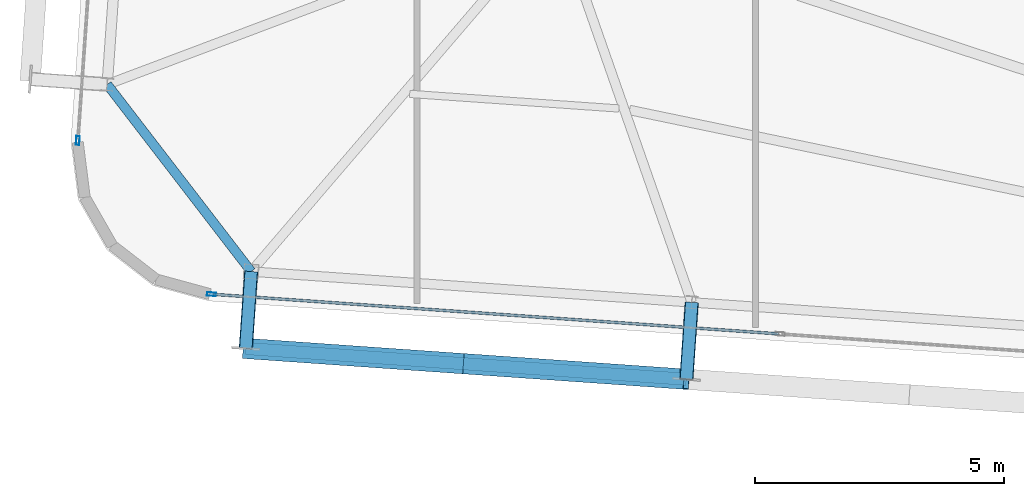
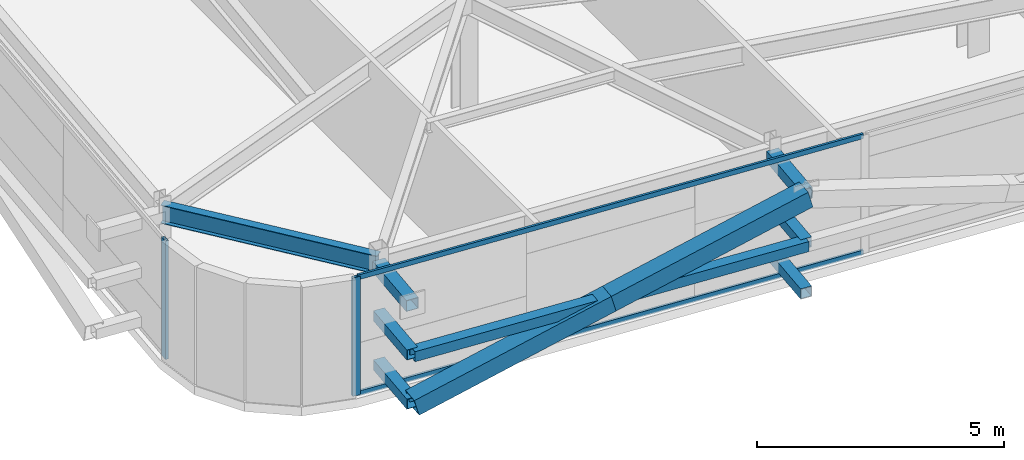
# One storey, part 6 of 39: 13 members, 1 beam, 2 elements without a shape of their own.
"""IFC4 building model written with IfcOpenShell, lengths in metres."""

from ifc_helpers import new_model, si_unit, direction, frame, origin, origin_2d, place, context, subcontext, project, spatial, hollow_rectangle, i_section, extrude, source, transform, mapped, material, layer, layer_set, material_profile, profile_set, type_object, element, aggregate, save


model = new_model("IFC4")

# Units and contexts
model_context = context("Model", 3, precision=1e-05, world=origin(), true_north=direction((0.0, 1.0)))
body_context = subcontext(model_context, "Body", "Model", "MODEL_VIEW")
ifc_project = project(units=[si_unit("LENGTHUNIT", "METRE"), si_unit("AREAUNIT", "SQUARE_METRE"), si_unit("VOLUMEUNIT", "CUBIC_METRE"), si_unit("PLANEANGLEUNIT", "RADIAN"), si_unit("MASSUNIT", "GRAM", prefix="KILO")], contexts=[model_context])

# Site, building, storey
site_placement = place(None, origin())
site = spatial("IfcSite", under=ifc_project, at=site_placement, CompositionType="ELEMENT")
building_placement = place(site_placement, origin())
building = spatial("IfcBuilding", under=site, at=building_placement, Name="Taldren Reach Tower", CompositionType="ELEMENT")
storey_placement = place(building_placement, frame((0.0, 0.0, 133.0)))
storey = spatial("IfcBuildingStorey", under=building, at=storey_placement, Name="L40", CompositionType="ELEMENT", Elevation=133.0)

# Members
ifc_material_1 = material(Name="Steel Gr 450 (C450L0)", Category="steel")
ifc_material_profile_1 = material_profile(ifc_material_1, hollow_rectangle(XDim=0.27490234375, YDim=0.27490234375, WallThickness=0.00927734375, at=origin_2d()), Name="275x275x9.3SHS")
ifc_profile_set_1 = profile_set([ifc_material_profile_1], Name="Steel Gr 450 (C450L0)")
member_type_1 = type_object("IfcMemberType", Name="MB-TIE273", PredefinedType="STRUT", material=ifc_profile_set_1)
shared_shape_1 = source(origin(), body_context, "Body", "SweptSolid", [
    extrude(hollow_rectangle(XDim=0.27490234375, YDim=0.27490234375, WallThickness=0.00927734375, at=origin_2d()), origin(), (0.0, 0.0, 1.0), 1.5498046875),
])
for number, where, z_axis, x_axis, name in (
    (1, (11.863525390625, 5.33837890625, 2.64990234375), (-0.069780535098, -0.997562367434, 0.0), (0.997562367434, -0.069780535098, 0.0), "Exoskeleton diaphragm tie strut B3-S1 L40"),
    (2, (20.721923828125, 4.718994140625, 2.64990234375), (-0.069780535098, -0.997562367434, 0.0), (0.997562367434, -0.069780535098, 0.0), "Exoskeleton diaphragm tie strut B3-S2 L40"),
):
    element("IfcMember", number, at=place(storey_placement, frame(where, z_axis=z_axis, x_axis=x_axis)), inside=storey, type_object=member_type_1, Name=name, PredefinedType="STRUT", context=body_context, shape_type="MappedRepresentation", body=[
        mapped(shared_shape_1, transform((0.0, 0.0, 0.0), scale=1.0)),
    ])
ifc_material_2 = material(Name="Steel Gr 350 (C350L0)", Category="steel")
ifc_material_profile_2 = material_profile(ifc_material_2, hollow_rectangle(XDim=0.25, YDim=0.25, WallThickness=0.010009765625, at=origin_2d()), Name="250x250x10.0SHS")
ifc_profile_set_2 = profile_set([ifc_material_profile_2], Name="Steel Gr 350 (C350L0)")
member_type_2 = type_object("IfcMemberType", Name="MB-POST250", PredefinedType="POST", material=ifc_profile_set_2)
shared_shape_2 = source(origin(), body_context, "Body", "SweptSolid", [
    extrude(hollow_rectangle(XDim=0.25, YDim=0.25, WallThickness=0.010009765625, at=origin_2d()), origin(), (0.0, 0.0, 1.0), 1.5498046875),
])
for number, where, z_axis, x_axis, name in (
    (3, (11.863525390625, 5.33837890625, 0.219970703125), (-0.069780535098, -0.997562367434, 0.0), (0.997562367434, -0.069780535098, 0.0), "Exoskeleton base diaphragm tie strut B3-S1 L40"),
    (4, (20.721923828125, 4.718994140625, 0.219970703125), (-0.069780535098, -0.997562367434, 0.0), (0.997562367434, -0.069780535098, 0.0), "Exoskeleton base diaphragm tie strut B3-S2 L40"),
    (5, (11.863525390625, 5.33837890625, 1.43505859375), (-0.069780535098, -0.997562367434, 0.0), (0.997562367434, -0.069780535098, 0.0), "Exoskeleton mid-tier diaphragm tie B3-S1 L40"),
    (6, (20.721923828125, 4.718994140625, 1.43505859375), (-0.069780535098, -0.997562367434, 0.0), (0.997562367434, -0.069780535098, 0.0), "Exoskeleton mid-tier diaphragm tie B3-S2 L40"),
):
    element("IfcMember", number, at=place(storey_placement, frame(where, z_axis=z_axis, x_axis=x_axis)), inside=storey, type_object=member_type_2, Name=name, PredefinedType="POST", context=body_context, shape_type="MappedRepresentation", body=[
        mapped(shared_shape_2, transform((0.0, 0.0, 0.0), scale=1.0)),
    ])

# Beam
ifc_material_3 = material(Name="Steel Gr 350 (350PLUS)", Category="steel")
ifc_material_profile_3 = material_profile(ifc_material_3, i_section(OverallWidth=0.18994140625, OverallDepth=0.4541015625, WebThickness=0.008544921875, FlangeThickness=0.0126953125, at=origin_2d()), Name="460UB67.1")
ifc_profile_set_3 = profile_set([ifc_material_profile_3], Name="Steel Gr 350 (350PLUS)")
beam_type = type_object("IfcBeamType", Name="SP-UB460B", PredefinedType="SPANDREL", material=ifc_profile_set_3)
shared_shape_3 = source(origin(), body_context, "Body", "SweptSolid", [
    extrude(i_section(OverallWidth=0.18994140625, OverallDepth=0.4541015625, WebThickness=0.008544921875, FlangeThickness=0.0126953125, at=origin_2d()), origin(), (0.0, 0.0, 1.0), 4.746337890625),
])
beam_placement = place(storey_placement, frame((8.96875, 9.099609375, 2.702880859375), z_axis=(0.609912099004, -0.792469072891, 0.0), x_axis=(0.792469072891, 0.609912099004, 0.0)))
element("IfcBeam", 7, at=beam_placement, inside=storey, type_object=beam_type, Name="Perimeter spandrel B3 W1-S1 L40", PredefinedType="SPANDREL", context=body_context, shape_type="MappedRepresentation", body=[
    mapped(shared_shape_3, transform((0.0, 0.0, 0.0), scale=1.0)),
])

# Members
shared_shape_4 = source(origin(), body_context, "Body", "SweptSolid", [
    extrude(hollow_rectangle(XDim=0.25, YDim=0.25, WallThickness=0.010009765625, at=origin_2d()), origin(), (0.0, 0.0, 1.0), 8.880126953125),
])
member_1_placement = place(storey_placement, frame((11.75537109375, 3.792236328125, 1.43505859375), z_axis=(0.997564479639, -0.069750333063, 0.0), x_axis=(0.069750333063, 0.997564479639, 0.0)))
element("IfcMember", 8, at=member_1_placement, inside=storey, type_object=member_type_2, Name="Exoskeleton mid-height ring chord B3-S1 L40", PredefinedType="POST", context=body_context, shape_type="MappedRepresentation", body=[
    mapped(shared_shape_4, transform((0.0, 0.0, 0.0), scale=1.0)),
])
ifc_material_profile_4 = material_profile(ifc_material_1, hollow_rectangle(XDim=0.409912109375, YDim=0.409912109375, WallThickness=0.01611328125, at=origin_2d()), Name="410x410x16.0SHS")
ifc_profile_set_4 = profile_set([ifc_material_profile_4], Name="Steel Gr 450 (C450L0)")
member_type_3 = type_object("IfcMemberType", Name="MB-EXO406", PredefinedType="BRACE", material=ifc_profile_set_4)
shared_shape_5 = source(origin(), body_context, "Body", "SweptSolid", [
    extrude(hollow_rectangle(XDim=0.409912109375, YDim=0.409912109375, WallThickness=0.01611328125, at=origin_2d()), origin(), (0.0, 0.0, 1.0), 4.603271484375),
])
for number, where, z_axis, x_axis, name in (
    (9, (11.75537109375, 3.792236328125, 0.219970703125), (0.962182351074, -0.067302910567, 0.263961060594), (0.06977769246, 0.997562566276, 0.0), "Exoskeleton Diagrid Brace B3-S1 L40"),
    (10, (16.1845703125, 3.482421875, 1.43505859375), (0.962199253371, -0.067251055742, 0.263912660389), (0.069722973508, 0.997566392259, 0.0), "Exoskeleton Diagrid Brace B3-S1 L40"),
):
    element("IfcMember", number, at=place(storey_placement, frame(where, z_axis=z_axis, x_axis=x_axis)), inside=storey, type_object=member_type_3, Name=name, PredefinedType="BRACE", context=body_context, shape_type="MappedRepresentation", body=[
        mapped(shared_shape_5, transform((0.0, 0.0, 0.0), scale=1.0)),
    ])

# Curtain wall, members
ifc_material_4 = material(Name="Aluminium and Low-E Glass Unitised System", Category="aluminium")
ifc_layer = layer(ifc_material_4, 0.159912109375)
ifc_layer_set = layer_set([ifc_layer], Name="Aluminium and Low-E Glass Unitised System")
curtain_wall_type = type_object("IfcCurtainWallType", Name="CW-SYS-4", PredefinedType="NOTDEFINED", material=ifc_layer_set)
curtain_wall_1_placement = place(storey_placement, origin())
curtain_wall_1 = element("IfcCurtainWall", 11, at=curtain_wall_1_placement, inside=storey, type_object=curtain_wall_type, Name="Unitised curtain wall CW-L40-S", PredefinedType="NOTDEFINED")
ifc_material_5 = material(Name="Anodised Aluminium 6063-T6", Category="aluminium")
ifc_material_profile_5 = material_profile(ifc_material_5, hollow_rectangle(XDim=0.054931640625, YDim=0.1201171875, WallThickness=0.0029296875, at=origin_2d()), Name="ALU-120x55x3RHS")
ifc_profile_set_5 = profile_set([ifc_material_profile_5], Name="Anodised Aluminium 6063-T6")
member_type_4 = type_object("IfcMemberType", Name="CW-TRN-135", PredefinedType="USERDEFINED", material=ifc_profile_set_5)
shared_shape_6 = source(origin(), body_context, "Body", "SweptSolid", [
    extrude(hollow_rectangle(XDim=0.054931640625, YDim=0.1201171875, WallThickness=0.0029296875, at=origin_2d()), origin(), (0.0, 0.0, 1.0), 11.39501953125),
])
member_2_placement = place(storey_placement, frame((11.099853515625, 4.880615234375, 0.027587890625), z_axis=(0.997563740682, -0.069760900766, 0.0), x_axis=(0.069760900766, 0.997563740682, 0.0)))
member_2 = element("IfcMember", 12, at=member_2_placement, type_object=member_type_4, Name="CW-4 transom 1.1", ObjectType="TRANSOM", PredefinedType="USERDEFINED", context=body_context, shape_type="MappedRepresentation", body=[
    mapped(shared_shape_6, transform((0.0, 0.0, 0.0), scale=1.0)),
])
member_3_placement = place(storey_placement, frame((11.099853515625, 4.880615234375, 2.902587890625), z_axis=(0.997563740682, -0.069760900766, 0.0), x_axis=(0.069760900766, 0.997563740682, 0.0)))
member_3 = element("IfcMember", 13, at=member_3_placement, type_object=member_type_4, Name="CW-4 transom 1.2", ObjectType="TRANSOM", PredefinedType="USERDEFINED", context=body_context, shape_type="MappedRepresentation", body=[
    mapped(shared_shape_6, transform((0.0, 0.0, 0.0), scale=1.0)),
])
ifc_material_profile_6 = material_profile(ifc_material_5, hollow_rectangle(XDim=0.070068359375, YDim=0.179931640625, WallThickness=0.00390625, at=origin_2d()), Name="ALU-180x70x4RHS")
ifc_profile_set_6 = profile_set([ifc_material_profile_6], Name="Anodised Aluminium 6063-T6")
member_type_5 = type_object("IfcMemberType", Name="CW-MUL-180", PredefinedType="MULLION", material=ifc_profile_set_6)
shared_shape_7 = source(origin(), body_context, "Body", "SweptSolid", [
    extrude(hollow_rectangle(XDim=0.070068359375, YDim=0.179931640625, WallThickness=0.00390625, at=origin_2d()), origin(), (0.0, 0.0, 1.0), 2.929931640625),
])
member_4_placement = place(storey_placement, frame((11.06494140625, 4.883056640625, 0.0), z_axis=(0.0, 0.0, 1.0), x_axis=(0.06975651593, 0.99756404731, 0.0)))
member_4 = element("IfcMember", 14, at=member_4_placement, type_object=member_type_5, Name="CW-4 mullion 1", PredefinedType="MULLION", context=body_context, shape_type="MappedRepresentation", body=[
    mapped(shared_shape_7, transform((0.0, 0.0, 0.0), scale=1.0)),
])
aggregate(curtain_wall_1, [member_4, member_2, member_3])

# Curtain wall, member
curtain_wall_2_placement = place(storey_placement, origin())
curtain_wall_2 = element("IfcCurtainWall", 15, at=curtain_wall_2_placement, inside=storey, type_object=curtain_wall_type, Name="Unitised curtain wall CW-L40-W", PredefinedType="NOTDEFINED")
member_5_placement = place(storey_placement, frame((8.37890625, 7.972900390625, 0.0), z_axis=(0.0, 0.0, 1.0), x_axis=(0.997564052812, -0.069756437251, 0.0)))
member_5 = element("IfcMember", 16, at=member_5_placement, type_object=member_type_5, Name="CW-4 mullion 3", PredefinedType="MULLION", context=body_context, shape_type="MappedRepresentation", body=[
    mapped(shared_shape_7, transform((0.0, 0.0, 0.0), scale=1.0)),
])
aggregate(curtain_wall_2, [member_5])

save(model, "model.ifc")
